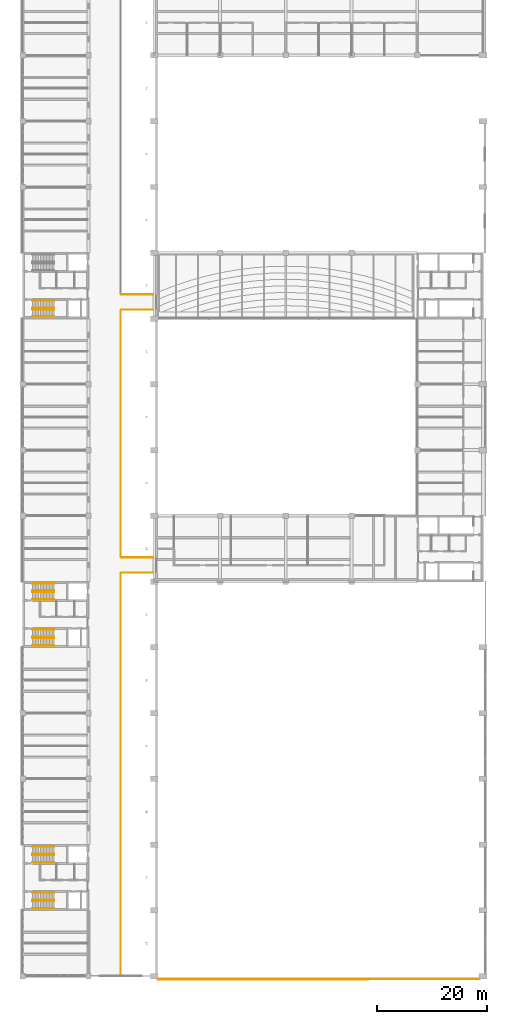
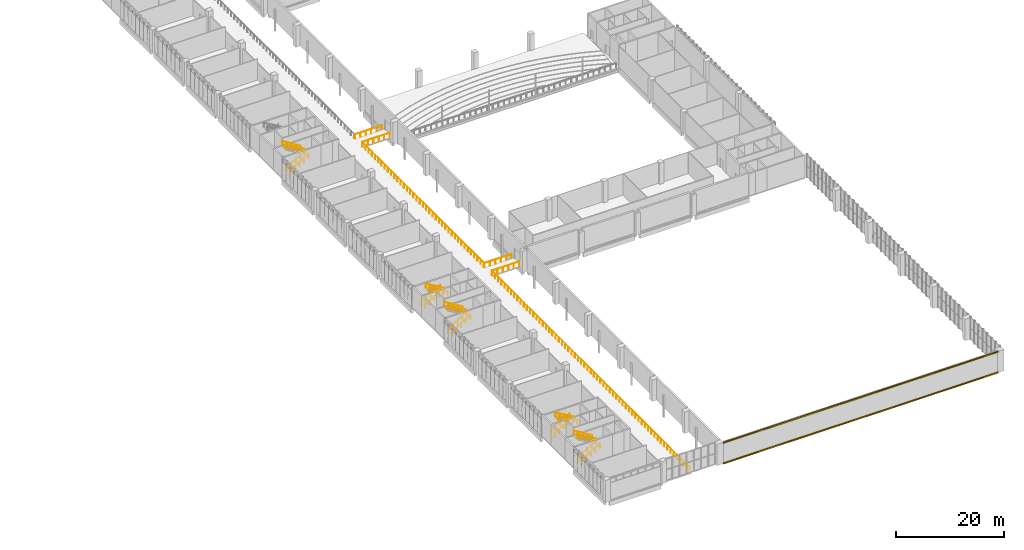
# One storey, part 67 of 69: 26 railings, 2 coverings.
"""IFC4 building model written with IfcOpenShell, lengths in metres."""

import ifcopenshell
import ifcopenshell.guid

model = None  # the IFC model being written
_history = None  # IfcOwnerHistory: only IFC2X3 demands one
_inside = {}  # id of a spatial element -> (the spatial element, [elements in it])
_under = {}  # id of a project, library or spatial element -> (it, [spatial elements below it])
_declared = {}  # id of a project -> (the project, [libraries it declares])
_typed = {}  # id of a type object -> (the type object, [elements of that type])
_made_of = {}  # id of a material, layer set ... -> (it, [elements and type objects made of it])


def new_model(schema):
    """Start an empty IFC model of exactly this schema.

    Asked for "IFC4X3", IfcOpenShell would pick the latest addendum, in which some entities
    have other attributes; the version numbers below select the first issue.
    IFC2X3 requires an IfcOwnerHistory on every rooted entity: one is made here for all.
    """
    global model, _history
    if schema == "IFC4X3":
        model = ifcopenshell.file(schema_version=(4, 3, 0, 0))
    else:
        model = ifcopenshell.file(schema=schema)
    _inside.clear()
    _under.clear()
    _declared.clear()
    _typed.clear()
    _made_of.clear()
    _history = None
    if model.schema == "IFC2X3":
        org = make("IfcOrganization", Name="unknown")
        user = make(
            "IfcPersonAndOrganization",
            ThePerson=make("IfcPerson", FamilyName="unknown"),
            TheOrganization=org,
        )
        app = make(
            "IfcApplication",
            ApplicationDeveloper=org,
            Version="unknown",
            ApplicationFullName="unknown",
            ApplicationIdentifier="unknown",
        )
        _history = make(
            "IfcOwnerHistory",
            OwningUser=user,
            OwningApplication=app,
            ChangeAction="ADDED",
            CreationDate=0,
        )
    return model


def make(cls, **values):
    """One entity of the class cls with the attributes given. An attribute that is None is left unset."""
    return model.create_entity(
        cls, **{name: value for name, value in values.items() if value is not None}
    )


def rooted(cls, **values):
    """An entity with a GlobalId (a new one), such as an element, a storey or a relation."""
    return make(cls, GlobalId=ifcopenshell.guid.new(), OwnerHistory=_history, **values)


def si_unit(unit_type, name, prefix=None):
    """IfcSIUnit, for example si_unit("LENGTHUNIT", "METRE", prefix="MILLI")."""
    return make("IfcSIUnit", UnitType=unit_type, Prefix=prefix, Name=name)


def assignment(units):
    """IfcUnitAssignment: the units of a project."""
    return None if units is None else make("IfcUnitAssignment", Units=units)


def point(xyz):
    """IfcCartesianPoint."""
    return None if xyz is None else make("IfcCartesianPoint", Coordinates=xyz)


def direction(xyz):
    """IfcDirection."""
    return None if xyz is None else make("IfcDirection", DirectionRatios=xyz)


def frame(location, z_axis=None, x_axis=None):
    """IfcAxis2Placement3D, a coordinate frame: its origin and axes. An axis left out is left unset."""
    return make(
        "IfcAxis2Placement3D",
        Location=point(location),
        Axis=direction(z_axis),
        RefDirection=direction(x_axis),
    )


def frame_2d(location, x_axis=None):
    """IfcAxis2Placement2D, a coordinate frame in the plane: its origin and x axis."""
    return make(
        "IfcAxis2Placement2D", Location=point(location), RefDirection=direction(x_axis)
    )


def origin():
    """The frame at (0, 0, 0) with its axes left unset."""
    return frame((0.0, 0.0, 0.0))


def origin_2d():
    """The frame at (0, 0) in the plane with its x axis left unset."""
    return frame_2d((0.0, 0.0))


def place(relative_to, where):
    """IfcLocalPlacement: puts the frame where relative to a parent placement (None: the world)."""
    return make(
        "IfcLocalPlacement", PlacementRelTo=relative_to, RelativePlacement=where
    )


def context(
    kind, dimensions, precision=None, world=None, true_north=None, identifier=None
):
    """IfcGeometricRepresentationContext, for example the 3D "Model" context."""
    return make(
        "IfcGeometricRepresentationContext",
        ContextIdentifier=identifier,
        ContextType=kind,
        CoordinateSpaceDimension=dimensions,
        Precision=precision,
        WorldCoordinateSystem=world,
        TrueNorth=true_north,
    )


def subcontext(parent, identifier, kind, view, scale=None):
    """IfcGeometricRepresentationSubContext, for example "Body" below "Model"."""
    return make(
        "IfcGeometricRepresentationSubContext",
        ContextIdentifier=identifier,
        ContextType=kind,
        ParentContext=parent,
        TargetScale=scale,
        TargetView=view,
    )


def project(units=None, contexts=None):
    """IfcProject with its units and contexts."""
    return rooted(
        "IfcProject",
        Name="project",
        RepresentationContexts=contexts,
        UnitsInContext=assignment(units),
    )


def spatial(cls, under=None, at=None, **own):
    """A site, building, storey or space (cls), placed at a placement, below another one or the project."""
    s = rooted(cls, ObjectPlacement=at, **own)
    if under is not None:
        _under.setdefault(under.id(), (under, []))[1].append(s)
    return s


def profile(cls, at=None, kind="AREA", **sizes):
    """A parametric profile (cls). Its sizes go by their IFC names, for example OverallWidth=200.0."""
    return make(cls, ProfileType=kind, Position=at, **sizes)


def rectangle(**sizes):
    """IfcRectangleProfileDef."""
    return profile("IfcRectangleProfileDef", **sizes)


def circle(**sizes):
    """IfcCircleProfileDef."""
    return profile("IfcCircleProfileDef", **sizes)


def extrude(swept, where, along, depth):
    """IfcExtrudedAreaSolid: the profile swept, set in the frame where, extruded along a direction by depth."""
    return make(
        "IfcExtrudedAreaSolid",
        SweptArea=swept,
        Position=where,
        ExtrudedDirection=direction(along),
        Depth=depth,
    )


def shape(context_of_items, identifier, shape_type, items):
    """IfcShapeRepresentation: the items that make up one representation, for example the "Body"."""
    return make(
        "IfcShapeRepresentation",
        ContextOfItems=context_of_items,
        RepresentationIdentifier=identifier,
        RepresentationType=shape_type,
        Items=items,
    )


def material(Name=None, Category=None):
    """IfcMaterial."""
    return make("IfcMaterial", Name=Name, Category=Category)


def layer(
    of_material, thickness, ventilated=None, Name=None, Category=None, Priority=None
):
    """IfcMaterialLayer: one layer of a wall or slab, of a material (None: an air gap)."""
    return make(
        "IfcMaterialLayer",
        Material=of_material,
        LayerThickness=thickness,
        IsVentilated=ventilated,
        Name=Name,
        Category=Category,
        Priority=Priority,
    )


def layer_set(layers, Name=None):
    """IfcMaterialLayerSet."""
    return make("IfcMaterialLayerSet", MaterialLayers=layers, LayerSetName=Name)


def constituent(of_material, Name=None, Category=None, fraction=None):
    """IfcMaterialConstituent: one of the materials an element consists of."""
    return make(
        "IfcMaterialConstituent",
        Name=Name,
        Material=of_material,
        Fraction=fraction,
        Category=Category,
    )


def constituent_set(constituents=None, Name=None):
    """IfcMaterialConstituentSet."""
    return make(
        "IfcMaterialConstituentSet", Name=Name, MaterialConstituents=constituents
    )


def made_of(thing, what):
    """Note that an element or type object is made of a material, layer set ...; save() writes the relation."""
    if what is not None:
        _made_of.setdefault(what.id(), (what, []))[1].append(thing)
    return thing


def type_object(cls, material=None, **own):
    """A type object (cls), such as IfcWallType, which elements share."""
    return made_of(rooted(cls, **own), material)


def element(
    cls,
    number,
    at=None,
    inside=None,
    cuts=None,
    type_object=None,
    material=None,
    context=None,
    identifier="Body",
    shape_type=None,
    held_by="IfcProductDefinitionShape",
    body=None,
    shapes=None,
    **own,
):
    """One element of the class cls, such as IfcWall. Its Tag is "e" and its number.

    at: its placement. inside: the storey or other place that contains it. cuts: it is an
    opening in that element (IfcRelVoidsElement). A single representation is given by context,
    identifier, shape_type and body (its items); several are given by shapes. held_by: the class
    of the entity that holds the representations. save() writes the other relations.
    """
    e = rooted(cls, Tag="e%d" % number, ObjectPlacement=at, **own)
    if body is not None:
        shapes = [shape(context, identifier, shape_type, body)]
    if shapes is not None:
        e.Representation = make(held_by, Representations=shapes)
    if inside is not None:
        _inside.setdefault(inside.id(), (inside, []))[1].append(e)
    if cuts is not None:
        rooted(
            "IfcRelVoidsElement", RelatingBuildingElement=cuts, RelatedOpeningElement=e
        )
    if type_object is not None:
        _typed.setdefault(type_object.id(), (type_object, []))[1].append(e)
    return made_of(e, material)


def aggregate(whole, parts):
    """IfcRelAggregates: a whole, such as a stair, and the parts it consists of."""
    return rooted("IfcRelAggregates", RelatingObject=whole, RelatedObjects=parts)


def save(model, path):
    """Write the relations noted so far, then the file.

    IfcRelAggregates (storeys below a building ...), IfcRelContainedInSpatialStructure (elements
    in a storey), IfcRelDefinesByType, IfcRelAssociatesMaterial and IfcRelDeclares: one each for
    every whole, place, type object, material and project.
    """
    for whole, parts in _under.values():
        aggregate(whole, parts)
    for where, things in _inside.values():
        rooted(
            "IfcRelContainedInSpatialStructure",
            RelatedElements=things,
            RelatingStructure=where,
        )
    for kind, things in _typed.values():
        rooted("IfcRelDefinesByType", RelatedObjects=things, RelatingType=kind)
    for what, things in _made_of.values():
        rooted("IfcRelAssociatesMaterial", RelatedObjects=things, RelatingMaterial=what)
    for by, libraries in _declared.values():
        rooted("IfcRelDeclares", RelatingContext=by, RelatedDefinitions=libraries)
    model.write(path)


model = new_model("IFC4")

# Units and contexts
model_context = context("Model", 3, precision=1e-05, world=origin(), true_north=direction((0.0, 1.0)))
body_context = subcontext(model_context, "Body", "Model", "MODEL_VIEW")
ifc_project = project(units=[si_unit("LENGTHUNIT", "METRE"), si_unit("AREAUNIT", "SQUARE_METRE"), si_unit("VOLUMEUNIT", "CUBIC_METRE"), si_unit("PLANEANGLEUNIT", "RADIAN"), si_unit("MASSUNIT", "GRAM", prefix="KILO")], contexts=[model_context])

# Site, building, storey
site_placement = place(None, origin())
site = spatial("IfcSite", under=ifc_project, at=site_placement, CompositionType="ELEMENT")
building_placement = place(site_placement, origin())
building = spatial("IfcBuilding", under=site, at=building_placement, Name="Lilac Gate Convention Centre", CompositionType="ELEMENT")
storey_placement = place(building_placement, frame((0.0, 0.0, 12.0)))
storey = spatial("IfcBuildingStorey", under=building, at=storey_placement, Name="L02", CompositionType="ELEMENT", Elevation=12.0)

# Coverings
ifc_material_1 = material(Name="Concrete C40 precast", Category="concrete")
ifc_layer_1 = layer(ifc_material_1, 0.1298828125)
ifc_material_2 = material(Name="Teal glazed cladding")
ifc_layer_2 = layer(ifc_material_2, 0.02001953125)
ifc_layer_set_1 = layer_set([ifc_layer_1, ifc_layer_2], Name="Concrete C40 precast, Teal glazed cladding")
covering_type_1 = type_object("IfcCoveringType", Name="Cladding band teal 150", PredefinedType="CLADDING", material=ifc_layer_set_1)
covering_1_placement = place(storey_placement, frame((30.60009765625, 29.375, 4.699951171875), z_axis=(0.0, 0.0, 1.0), x_axis=(1.0, 0.0, 0.0)))
element("IfcCovering", 1, at=covering_1_placement, inside=storey, type_object=covering_type_1, Name="Precast band hall south 3", PredefinedType="CLADDING", context=body_context, shape_type="SweptSolid", body=[
    extrude(rectangle(XDim=58.7998046875, YDim=0.14990234375, at=frame_2d((29.39990234375, 0.0))), origin(), (0.0, 0.0, 1.0), 0.300048828125),
])
ifc_layer_3 = layer(ifc_material_1, 0.1298828125)
ifc_material_3 = material(Name="Terracotta glazed cladding", Category="masonry")
ifc_layer_4 = layer(ifc_material_3, 0.02001953125)
ifc_layer_set_2 = layer_set([ifc_layer_3, ifc_layer_4], Name="Concrete C40 precast, Terracotta glazed cladding")
covering_type_2 = type_object("IfcCoveringType", Name="Cladding band terracotta 150", PredefinedType="CLADDING", material=ifc_layer_set_2)
covering_2_placement = place(storey_placement, frame((30.60009765625, 29.375, 0.0), z_axis=(0.0, 0.0, 1.0), x_axis=(1.0, 0.0, 0.0)))
element("IfcCovering", 2, at=covering_2_placement, inside=storey, type_object=covering_type_2, Name="Precast band hall south 2", PredefinedType="CLADDING", context=body_context, shape_type="SweptSolid", body=[
    extrude(rectangle(XDim=58.7998046875, YDim=0.14990234375, at=frame_2d((29.39990234375, 0.0))), origin(), (0.0, 0.0, 1.0), 0.300048828125),
])

# Railings
ifc_material_4 = material(Name="Steel Q235B", Category="steel")
ifc_constituent_1 = constituent(ifc_material_4, Name="Frame")
ifc_material_5 = material(Name="Safety glass, bonded interlayer", Category="glass")
ifc_constituent_2 = constituent(ifc_material_5, Name="Infill")
ifc_constituent_set = constituent_set(constituents=[ifc_constituent_1, ifc_constituent_2], Name="Steel Q235B, Safety glass, bonded interlayer")
railing_type_1 = type_object("IfcRailingType", Name="Guard 1100 steel and glass", PredefinedType="GUARDRAIL", material=ifc_constituent_set)
railing_1_placement = place(storey_placement, frame((23.89990234375, 30.199951171875, 0.0)))
element("IfcRailing", 3, at=railing_1_placement, inside=storey, type_object=railing_type_1, Name="Gallery guard L02", PredefinedType="GUARDRAIL", context=body_context, shape_type="SweptSolid", body=[
    extrude(circle(Radius=0.02392578125, at=origin_2d()), frame((0.0, 0.0, 1.076171875), z_axis=(0.0, 1.0, 0.0), x_axis=(-1.0, 0.0, 0.0)), (0.0, 0.0, 1.0), 73.300048828125),
    extrude(circle(Radius=0.02099609375, at=origin_2d()), origin(), (0.0, 0.0, 1.0), 1.052001953125),
    extrude(circle(Radius=0.02099609375, at=origin_2d()), frame((0.0, 1.182373046875, 0.0)), (0.0, 0.0, 1.0), 1.052001953125),
    extrude(circle(Radius=0.02099609375, at=origin_2d()), frame((0.0, 2.364501953125, 0.0)), (0.0, 0.0, 1.0), 1.052001953125),
    extrude(circle(Radius=0.02099609375, at=origin_2d()), frame((0.0, 3.546875, 0.0)), (0.0, 0.0, 1.0), 1.052001953125),
    extrude(circle(Radius=0.02099609375, at=origin_2d()), frame((0.0, 4.72900390625, 0.0)), (0.0, 0.0, 1.0), 1.052001953125),
    extrude(circle(Radius=0.02099609375, at=origin_2d()), frame((0.0, 5.911376953125, 0.0)), (0.0, 0.0, 1.0), 1.052001953125),
    extrude(circle(Radius=0.02099609375, at=origin_2d()), frame((0.0, 7.093505859375, 0.0)), (0.0, 0.0, 1.0), 1.052001953125),
    extrude(circle(Radius=0.02099609375, at=origin_2d()), frame((0.0, 8.27587890625, 0.0)), (0.0, 0.0, 1.0), 1.052001953125),
    extrude(circle(Radius=0.02099609375, at=origin_2d()), frame((0.0, 9.4580078125, 0.0)), (0.0, 0.0, 1.0), 1.052001953125),
    extrude(circle(Radius=0.02099609375, at=origin_2d()), frame((0.0, 10.640380859375, 0.0)), (0.0, 0.0, 1.0), 1.052001953125),
    extrude(circle(Radius=0.02099609375, at=origin_2d()), frame((0.0, 11.822509765625, 0.0)), (0.0, 0.0, 1.0), 1.052001953125),
    extrude(circle(Radius=0.02099609375, at=origin_2d()), frame((0.0, 13.0048828125, 0.0)), (0.0, 0.0, 1.0), 1.052001953125),
    extrude(circle(Radius=0.02099609375, at=origin_2d()), frame((0.0, 14.18701171875, 0.0)), (0.0, 0.0, 1.0), 1.052001953125),
    extrude(circle(Radius=0.02099609375, at=origin_2d()), frame((0.0, 15.369384765625, 0.0)), (0.0, 0.0, 1.0), 1.052001953125),
    extrude(circle(Radius=0.02099609375, at=origin_2d()), frame((0.0, 16.551513671875, 0.0)), (0.0, 0.0, 1.0), 1.052001953125),
    extrude(circle(Radius=0.02099609375, at=origin_2d()), frame((0.0, 17.73388671875, 0.0)), (0.0, 0.0, 1.0), 1.052001953125),
    extrude(circle(Radius=0.02099609375, at=origin_2d()), frame((0.0, 18.916259765625, 0.0)), (0.0, 0.0, 1.0), 1.052001953125),
    extrude(circle(Radius=0.02099609375, at=origin_2d()), frame((0.0, 20.098388671875, 0.0)), (0.0, 0.0, 1.0), 1.052001953125),
    extrude(circle(Radius=0.02099609375, at=origin_2d()), frame((0.0, 21.28076171875, 0.0)), (0.0, 0.0, 1.0), 1.052001953125),
    extrude(circle(Radius=0.02099609375, at=origin_2d()), frame((0.0, 22.462890625, 0.0)), (0.0, 0.0, 1.0), 1.052001953125),
    extrude(circle(Radius=0.02099609375, at=origin_2d()), frame((0.0, 23.645263671875, 0.0)), (0.0, 0.0, 1.0), 1.052001953125),
    extrude(circle(Radius=0.02099609375, at=origin_2d()), frame((0.0, 24.827392578125, 0.0)), (0.0, 0.0, 1.0), 1.052001953125),
    extrude(circle(Radius=0.02099609375, at=origin_2d()), frame((0.0, 26.009765625, 0.0)), (0.0, 0.0, 1.0), 1.052001953125),
    extrude(circle(Radius=0.02099609375, at=origin_2d()), frame((0.0, 27.19189453125, 0.0)), (0.0, 0.0, 1.0), 1.052001953125),
    extrude(circle(Radius=0.02099609375, at=origin_2d()), frame((0.0, 28.374267578125, 0.0)), (0.0, 0.0, 1.0), 1.052001953125),
    extrude(circle(Radius=0.02099609375, at=origin_2d()), frame((0.0, 29.556396484375, 0.0)), (0.0, 0.0, 1.0), 1.052001953125),
    extrude(circle(Radius=0.02099609375, at=origin_2d()), frame((0.0, 30.73876953125, 0.0)), (0.0, 0.0, 1.0), 1.052001953125),
    extrude(circle(Radius=0.02099609375, at=origin_2d()), frame((0.0, 31.9208984375, 0.0)), (0.0, 0.0, 1.0), 1.052001953125),
    extrude(circle(Radius=0.02099609375, at=origin_2d()), frame((0.0, 33.103271484375, 0.0)), (0.0, 0.0, 1.0), 1.052001953125),
    extrude(circle(Radius=0.02099609375, at=origin_2d()), frame((0.0, 34.285400390625, 0.0)), (0.0, 0.0, 1.0), 1.052001953125),
    extrude(circle(Radius=0.02099609375, at=origin_2d()), frame((0.0, 35.4677734375, 0.0)), (0.0, 0.0, 1.0), 1.052001953125),
    extrude(circle(Radius=0.02099609375, at=origin_2d()), frame((0.0, 36.64990234375, 0.0)), (0.0, 0.0, 1.0), 1.052001953125),
    extrude(circle(Radius=0.02099609375, at=origin_2d()), frame((0.0, 37.832275390625, 0.0)), (0.0, 0.0, 1.0), 1.052001953125),
    extrude(circle(Radius=0.02099609375, at=origin_2d()), frame((0.0, 39.0146484375, 0.0)), (0.0, 0.0, 1.0), 1.052001953125),
    extrude(circle(Radius=0.02099609375, at=origin_2d()), frame((0.0, 40.19677734375, 0.0)), (0.0, 0.0, 1.0), 1.052001953125),
    extrude(circle(Radius=0.02099609375, at=origin_2d()), frame((0.0, 41.379150390625, 0.0)), (0.0, 0.0, 1.0), 1.052001953125),
    extrude(circle(Radius=0.02099609375, at=origin_2d()), frame((0.0, 42.561279296875, 0.0)), (0.0, 0.0, 1.0), 1.052001953125),
    extrude(circle(Radius=0.02099609375, at=origin_2d()), frame((0.0, 43.74365234375, 0.0)), (0.0, 0.0, 1.0), 1.052001953125),
    extrude(circle(Radius=0.02099609375, at=origin_2d()), frame((0.0, 44.92578125, 0.0)), (0.0, 0.0, 1.0), 1.052001953125),
    extrude(circle(Radius=0.02099609375, at=origin_2d()), frame((0.0, 46.108154296875, 0.0)), (0.0, 0.0, 1.0), 1.052001953125),
    extrude(circle(Radius=0.02099609375, at=origin_2d()), frame((0.0, 47.290283203125, 0.0)), (0.0, 0.0, 1.0), 1.052001953125),
    extrude(circle(Radius=0.02099609375, at=origin_2d()), frame((0.0, 48.47265625, 0.0)), (0.0, 0.0, 1.0), 1.052001953125),
    extrude(circle(Radius=0.02099609375, at=origin_2d()), frame((0.0, 49.65478515625, 0.0)), (0.0, 0.0, 1.0), 1.052001953125),
    extrude(circle(Radius=0.02099609375, at=origin_2d()), frame((0.0, 50.837158203125, 0.0)), (0.0, 0.0, 1.0), 1.052001953125),
    extrude(circle(Radius=0.02099609375, at=origin_2d()), frame((0.0, 52.019287109375, 0.0)), (0.0, 0.0, 1.0), 1.052001953125),
    extrude(circle(Radius=0.02099609375, at=origin_2d()), frame((0.0, 53.20166015625, 0.0)), (0.0, 0.0, 1.0), 1.052001953125),
    extrude(circle(Radius=0.02099609375, at=origin_2d()), frame((0.0, 54.3837890625, 0.0)), (0.0, 0.0, 1.0), 1.052001953125),
    extrude(circle(Radius=0.02099609375, at=origin_2d()), frame((0.0, 55.566162109375, 0.0)), (0.0, 0.0, 1.0), 1.052001953125),
    extrude(circle(Radius=0.02099609375, at=origin_2d()), frame((0.0, 56.74853515625, 0.0)), (0.0, 0.0, 1.0), 1.052001953125),
    extrude(circle(Radius=0.02099609375, at=origin_2d()), frame((0.0, 57.9306640625, 0.0)), (0.0, 0.0, 1.0), 1.052001953125),
    extrude(circle(Radius=0.02099609375, at=origin_2d()), frame((0.0, 59.113037109375, 0.0)), (0.0, 0.0, 1.0), 1.052001953125),
    extrude(circle(Radius=0.02099609375, at=origin_2d()), frame((0.0, 60.295166015625, 0.0)), (0.0, 0.0, 1.0), 1.052001953125),
    extrude(circle(Radius=0.02099609375, at=origin_2d()), frame((0.0, 61.4775390625, 0.0)), (0.0, 0.0, 1.0), 1.052001953125),
    extrude(circle(Radius=0.02099609375, at=origin_2d()), frame((0.0, 62.65966796875, 0.0)), (0.0, 0.0, 1.0), 1.052001953125),
    extrude(circle(Radius=0.02099609375, at=origin_2d()), frame((0.0, 63.842041015625, 0.0)), (0.0, 0.0, 1.0), 1.052001953125),
    extrude(circle(Radius=0.02099609375, at=origin_2d()), frame((0.0, 65.024169921875, 0.0)), (0.0, 0.0, 1.0), 1.052001953125),
    extrude(circle(Radius=0.02099609375, at=origin_2d()), frame((0.0, 66.20654296875, 0.0)), (0.0, 0.0, 1.0), 1.052001953125),
    extrude(circle(Radius=0.02099609375, at=origin_2d()), frame((0.0, 67.388671875, 0.0)), (0.0, 0.0, 1.0), 1.052001953125),
    extrude(circle(Radius=0.02099609375, at=origin_2d()), frame((0.0, 68.571044921875, 0.0)), (0.0, 0.0, 1.0), 1.052001953125),
    extrude(circle(Radius=0.02099609375, at=origin_2d()), frame((0.0, 69.753173828125, 0.0)), (0.0, 0.0, 1.0), 1.052001953125),
    extrude(circle(Radius=0.02099609375, at=origin_2d()), frame((0.0, 70.935546875, 0.0)), (0.0, 0.0, 1.0), 1.052001953125),
    extrude(circle(Radius=0.02099609375, at=origin_2d()), frame((0.0, 72.11767578125, 0.0)), (0.0, 0.0, 1.0), 1.052001953125),
    extrude(circle(Radius=0.02099609375, at=origin_2d()), frame((0.0, 73.300048828125, 0.0)), (0.0, 0.0, 1.0), 1.052001953125),
])
railing_2_placement = place(storey_placement, frame((23.89990234375, 106.5, 0.0)))
element("IfcRailing", 4, at=railing_2_placement, inside=storey, type_object=railing_type_1, Name="Gallery guard L02", PredefinedType="GUARDRAIL", context=body_context, shape_type="SweptSolid", body=[
    extrude(circle(Radius=0.02392578125, at=origin_2d()), frame((0.0, 0.0, 1.076171875), z_axis=(0.0, 1.0, 0.0), x_axis=(-1.0, 0.0, 0.0)), (0.0, 0.0, 1.0), 45.0),
    extrude(circle(Radius=0.02099609375, at=origin_2d()), origin(), (0.0, 0.0, 1.0), 1.052001953125),
    extrude(circle(Radius=0.02099609375, at=origin_2d()), frame((0.0, 1.184326171875, 0.0)), (0.0, 0.0, 1.0), 1.052001953125),
    extrude(circle(Radius=0.02099609375, at=origin_2d()), frame((0.0, 2.368408203125, 0.0)), (0.0, 0.0, 1.0), 1.052001953125),
    extrude(circle(Radius=0.02099609375, at=origin_2d()), frame((0.0, 3.552734375, 0.0)), (0.0, 0.0, 1.0), 1.052001953125),
    extrude(circle(Radius=0.02099609375, at=origin_2d()), frame((0.0, 4.73681640625, 0.0)), (0.0, 0.0, 1.0), 1.052001953125),
    extrude(circle(Radius=0.02099609375, at=origin_2d()), frame((0.0, 5.921142578125, 0.0)), (0.0, 0.0, 1.0), 1.052001953125),
    extrude(circle(Radius=0.02099609375, at=origin_2d()), frame((0.0, 7.105224609375, 0.0)), (0.0, 0.0, 1.0), 1.052001953125),
    extrude(circle(Radius=0.02099609375, at=origin_2d()), frame((0.0, 8.28955078125, 0.0)), (0.0, 0.0, 1.0), 1.052001953125),
    extrude(circle(Radius=0.02099609375, at=origin_2d()), frame((0.0, 9.4736328125, 0.0)), (0.0, 0.0, 1.0), 1.052001953125),
    extrude(circle(Radius=0.02099609375, at=origin_2d()), frame((0.0, 10.657958984375, 0.0)), (0.0, 0.0, 1.0), 1.052001953125),
    extrude(circle(Radius=0.02099609375, at=origin_2d()), frame((0.0, 11.842041015625, 0.0)), (0.0, 0.0, 1.0), 1.052001953125),
    extrude(circle(Radius=0.02099609375, at=origin_2d()), frame((0.0, 13.0263671875, 0.0)), (0.0, 0.0, 1.0), 1.052001953125),
    extrude(circle(Radius=0.02099609375, at=origin_2d()), frame((0.0, 14.21044921875, 0.0)), (0.0, 0.0, 1.0), 1.052001953125),
    extrude(circle(Radius=0.02099609375, at=origin_2d()), frame((0.0, 15.394775390625, 0.0)), (0.0, 0.0, 1.0), 1.052001953125),
    extrude(circle(Radius=0.02099609375, at=origin_2d()), frame((0.0, 16.578857421875, 0.0)), (0.0, 0.0, 1.0), 1.052001953125),
    extrude(circle(Radius=0.02099609375, at=origin_2d()), frame((0.0, 17.76318359375, 0.0)), (0.0, 0.0, 1.0), 1.052001953125),
    extrude(circle(Radius=0.02099609375, at=origin_2d()), frame((0.0, 18.947265625, 0.0)), (0.0, 0.0, 1.0), 1.052001953125),
    extrude(circle(Radius=0.02099609375, at=origin_2d()), frame((0.0, 20.131591796875, 0.0)), (0.0, 0.0, 1.0), 1.052001953125),
    extrude(circle(Radius=0.02099609375, at=origin_2d()), frame((0.0, 21.315673828125, 0.0)), (0.0, 0.0, 1.0), 1.052001953125),
    extrude(circle(Radius=0.02099609375, at=origin_2d()), frame((0.0, 22.5, 0.0)), (0.0, 0.0, 1.0), 1.052001953125),
    extrude(circle(Radius=0.02099609375, at=origin_2d()), frame((0.0, 23.684326171875, 0.0)), (0.0, 0.0, 1.0), 1.052001953125),
    extrude(circle(Radius=0.02099609375, at=origin_2d()), frame((0.0, 24.868408203125, 0.0)), (0.0, 0.0, 1.0), 1.052001953125),
    extrude(circle(Radius=0.02099609375, at=origin_2d()), frame((0.0, 26.052734375, 0.0)), (0.0, 0.0, 1.0), 1.052001953125),
    extrude(circle(Radius=0.02099609375, at=origin_2d()), frame((0.0, 27.23681640625, 0.0)), (0.0, 0.0, 1.0), 1.052001953125),
    extrude(circle(Radius=0.02099609375, at=origin_2d()), frame((0.0, 28.421142578125, 0.0)), (0.0, 0.0, 1.0), 1.052001953125),
    extrude(circle(Radius=0.02099609375, at=origin_2d()), frame((0.0, 29.605224609375, 0.0)), (0.0, 0.0, 1.0), 1.052001953125),
    extrude(circle(Radius=0.02099609375, at=origin_2d()), frame((0.0, 30.78955078125, 0.0)), (0.0, 0.0, 1.0), 1.052001953125),
    extrude(circle(Radius=0.02099609375, at=origin_2d()), frame((0.0, 31.9736328125, 0.0)), (0.0, 0.0, 1.0), 1.052001953125),
    extrude(circle(Radius=0.02099609375, at=origin_2d()), frame((0.0, 33.157958984375, 0.0)), (0.0, 0.0, 1.0), 1.052001953125),
    extrude(circle(Radius=0.02099609375, at=origin_2d()), frame((0.0, 34.342041015625, 0.0)), (0.0, 0.0, 1.0), 1.052001953125),
    extrude(circle(Radius=0.02099609375, at=origin_2d()), frame((0.0, 35.5263671875, 0.0)), (0.0, 0.0, 1.0), 1.052001953125),
    extrude(circle(Radius=0.02099609375, at=origin_2d()), frame((0.0, 36.71044921875, 0.0)), (0.0, 0.0, 1.0), 1.052001953125),
    extrude(circle(Radius=0.02099609375, at=origin_2d()), frame((0.0, 37.894775390625, 0.0)), (0.0, 0.0, 1.0), 1.052001953125),
    extrude(circle(Radius=0.02099609375, at=origin_2d()), frame((0.0, 39.078857421875, 0.0)), (0.0, 0.0, 1.0), 1.052001953125),
    extrude(circle(Radius=0.02099609375, at=origin_2d()), frame((0.0, 40.26318359375, 0.0)), (0.0, 0.0, 1.0), 1.052001953125),
    extrude(circle(Radius=0.02099609375, at=origin_2d()), frame((0.0, 41.447265625, 0.0)), (0.0, 0.0, 1.0), 1.052001953125),
    extrude(circle(Radius=0.02099609375, at=origin_2d()), frame((0.0, 42.631591796875, 0.0)), (0.0, 0.0, 1.0), 1.052001953125),
    extrude(circle(Radius=0.02099609375, at=origin_2d()), frame((0.0, 43.815673828125, 0.0)), (0.0, 0.0, 1.0), 1.052001953125),
    extrude(circle(Radius=0.02099609375, at=origin_2d()), frame((0.0, 45.0, 0.0)), (0.0, 0.0, 1.0), 1.052001953125),
])
for number, where, name in (
    (5, (24.0, 103.60009765625, 0.0), "Bridge guard L02"),
    (6, (24.0, 106.39990234375, 0.0), "Bridge guard L02"),
    (7, (24.0, 151.60009765625, 0.0), "Bridge guard L02"),
    (8, (24.0, 154.39990234375, 0.0), "Bridge guard L02"),
):
    element("IfcRailing", number, at=place(storey_placement, frame(where)), inside=storey, type_object=railing_type_1, Name=name, PredefinedType="GUARDRAIL", context=body_context, shape_type="SweptSolid", body=[
        extrude(circle(Radius=0.02392578125, at=origin_2d()), frame((0.0, 0.0, 1.076171875), z_axis=(1.0, 0.0, 0.0), x_axis=(0.0, 1.0, 0.0)), (0.0, 0.0, 1.0), 5.800048828125),
        extrude(circle(Radius=0.02099609375, at=origin_2d()), origin(), (0.0, 0.0, 1.0), 1.052001953125),
        extrude(circle(Radius=0.02099609375, at=origin_2d()), frame((1.159912109375, 0.0, 0.0)), (0.0, 0.0, 1.0), 1.052001953125),
        extrude(circle(Radius=0.02099609375, at=origin_2d()), frame((2.320068359375, 0.0, 0.0)), (0.0, 0.0, 1.0), 1.052001953125),
        extrude(circle(Radius=0.02099609375, at=origin_2d()), frame((3.47998046875, 0.0, 0.0)), (0.0, 0.0, 1.0), 1.052001953125),
        extrude(circle(Radius=0.02099609375, at=origin_2d()), frame((4.64013671875, 0.0, 0.0)), (0.0, 0.0, 1.0), 1.052001953125),
        extrude(circle(Radius=0.02099609375, at=origin_2d()), frame((5.800048828125, 0.0, 0.0)), (0.0, 0.0, 1.0), 1.052001953125),
    ])
ifc_material_6 = material(Name="Stainless steel 304", Category="steel")
railing_type_2 = type_object("IfcRailingType", Name="Stair handrail 900", PredefinedType="HANDRAIL", material=ifc_material_6)
for number, where, name in (
    (9, (7.800048828125, 42.35009765625, 0.166748046875), "Stair handrail W1A"),
    (10, (7.800048828125, 43.64990234375, 0.166748046875), "Stair handrail W1A"),
):
    element("IfcRailing", number, at=place(storey_placement, frame(where)), inside=storey, type_object=railing_type_2, Name=name, PredefinedType="HANDRAIL", context=body_context, shape_type="SweptSolid", body=[
        extrude(circle(Radius=0.02392578125, at=origin_2d()), frame((0.0, 0.0, 0.8759765625), z_axis=(0.859296244711, 0.0, 0.511478214419), x_axis=(0.0, 1.0, 0.0)), (0.0, 0.0, 1.0), 4.561767578125),
        extrude(circle(Radius=0.02099609375, at=origin_2d()), origin(), (0.0, 0.0, 1.0), 0.851806640625),
        extrude(circle(Radius=0.02099609375, at=origin_2d()), frame((0.97998046875, 0.0, 0.583251953125)), (0.0, 0.0, 1.0), 0.851806640625),
        extrude(circle(Radius=0.02099609375, at=origin_2d()), frame((1.9599609375, 0.0, 1.16650390625)), (0.0, 0.0, 1.0), 0.851806640625),
        extrude(circle(Radius=0.02099609375, at=origin_2d()), frame((2.93994140625, 0.0, 1.75)), (0.0, 0.0, 1.0), 0.851806640625),
        extrude(circle(Radius=0.02099609375, at=origin_2d()), frame((3.919921875, 0.0, 2.333251953125)), (0.0, 0.0, 1.0), 0.851806640625),
    ])
for number, where, name in (
    (11, (11.719970703125, 43.949951171875, 2.666748046875), "Stair handrail W1A"),
    (12, (11.719970703125, 45.25, 2.666748046875), "Stair handrail W1A"),
):
    element("IfcRailing", number, at=place(storey_placement, frame(where)), inside=storey, type_object=railing_type_2, Name=name, PredefinedType="HANDRAIL", context=body_context, shape_type="SweptSolid", body=[
        extrude(circle(Radius=0.02392578125, at=origin_2d()), frame((0.0, 0.0, 0.8759765625), z_axis=(-0.859296244711, 0.0, 0.511478214419), x_axis=(0.0, -1.0, 0.0)), (0.0, 0.0, 1.0), 4.561767578125),
        extrude(circle(Radius=0.02099609375, at=origin_2d()), origin(), (0.0, 0.0, 1.0), 0.851806640625),
        extrude(circle(Radius=0.02099609375, at=origin_2d()), frame((-0.97998046875, 0.0, 0.583251953125)), (0.0, 0.0, 1.0), 0.851806640625),
        extrude(circle(Radius=0.02099609375, at=origin_2d()), frame((-1.9599609375, 0.0, 1.16650390625)), (0.0, 0.0, 1.0), 0.851806640625),
        extrude(circle(Radius=0.02099609375, at=origin_2d()), frame((-2.93994140625, 0.0, 1.75)), (0.0, 0.0, 1.0), 0.851806640625),
        extrude(circle(Radius=0.02099609375, at=origin_2d()), frame((-3.919921875, 0.0, 2.333251953125)), (0.0, 0.0, 1.0), 0.851806640625),
    ])
for number, where, name in (
    (13, (7.800048828125, 52.35009765625, 0.166748046875), "Stair handrail W1B"),
    (14, (7.800048828125, 53.64990234375, 0.166748046875), "Stair handrail W1B"),
):
    element("IfcRailing", number, at=place(storey_placement, frame(where)), inside=storey, type_object=railing_type_2, Name=name, PredefinedType="HANDRAIL", context=body_context, shape_type="SweptSolid", body=[
        extrude(circle(Radius=0.02392578125, at=origin_2d()), frame((0.0, 0.0, 0.8759765625), z_axis=(0.859296244711, 0.0, 0.511478214419), x_axis=(0.0, 1.0, 0.0)), (0.0, 0.0, 1.0), 4.561767578125),
        extrude(circle(Radius=0.02099609375, at=origin_2d()), origin(), (0.0, 0.0, 1.0), 0.851806640625),
        extrude(circle(Radius=0.02099609375, at=origin_2d()), frame((0.97998046875, 0.0, 0.583251953125)), (0.0, 0.0, 1.0), 0.851806640625),
        extrude(circle(Radius=0.02099609375, at=origin_2d()), frame((1.9599609375, 0.0, 1.16650390625)), (0.0, 0.0, 1.0), 0.851806640625),
        extrude(circle(Radius=0.02099609375, at=origin_2d()), frame((2.93994140625, 0.0, 1.75)), (0.0, 0.0, 1.0), 0.851806640625),
        extrude(circle(Radius=0.02099609375, at=origin_2d()), frame((3.919921875, 0.0, 2.333251953125)), (0.0, 0.0, 1.0), 0.851806640625),
    ])
for number, where, name in (
    (15, (11.719970703125, 50.75, 2.666748046875), "Stair handrail W1B"),
    (16, (11.719970703125, 52.050048828125, 2.666748046875), "Stair handrail W1B"),
):
    element("IfcRailing", number, at=place(storey_placement, frame(where)), inside=storey, type_object=railing_type_2, Name=name, PredefinedType="HANDRAIL", context=body_context, shape_type="SweptSolid", body=[
        extrude(circle(Radius=0.02392578125, at=origin_2d()), frame((0.0, 0.0, 0.8759765625), z_axis=(-0.859296244711, 0.0, 0.511478214419), x_axis=(0.0, -1.0, 0.0)), (0.0, 0.0, 1.0), 4.561767578125),
        extrude(circle(Radius=0.02099609375, at=origin_2d()), origin(), (0.0, 0.0, 1.0), 0.851806640625),
        extrude(circle(Radius=0.02099609375, at=origin_2d()), frame((-0.97998046875, 0.0, 0.583251953125)), (0.0, 0.0, 1.0), 0.851806640625),
        extrude(circle(Radius=0.02099609375, at=origin_2d()), frame((-1.9599609375, 0.0, 1.16650390625)), (0.0, 0.0, 1.0), 0.851806640625),
        extrude(circle(Radius=0.02099609375, at=origin_2d()), frame((-2.93994140625, 0.0, 1.75)), (0.0, 0.0, 1.0), 0.851806640625),
        extrude(circle(Radius=0.02099609375, at=origin_2d()), frame((-3.919921875, 0.0, 2.333251953125)), (0.0, 0.0, 1.0), 0.851806640625),
    ])
for number, where, name in (
    (17, (7.800048828125, 90.35009765625, 0.166748046875), "Stair handrail W2A"),
    (18, (7.800048828125, 91.64990234375, 0.166748046875), "Stair handrail W2A"),
):
    element("IfcRailing", number, at=place(storey_placement, frame(where)), inside=storey, type_object=railing_type_2, Name=name, PredefinedType="HANDRAIL", context=body_context, shape_type="SweptSolid", body=[
        extrude(circle(Radius=0.02392578125, at=origin_2d()), frame((0.0, 0.0, 0.8759765625), z_axis=(0.859296244711, 0.0, 0.511478214419), x_axis=(0.0, 1.0, 0.0)), (0.0, 0.0, 1.0), 4.561767578125),
        extrude(circle(Radius=0.02099609375, at=origin_2d()), origin(), (0.0, 0.0, 1.0), 0.851806640625),
        extrude(circle(Radius=0.02099609375, at=origin_2d()), frame((0.97998046875, 0.0, 0.583251953125)), (0.0, 0.0, 1.0), 0.851806640625),
        extrude(circle(Radius=0.02099609375, at=origin_2d()), frame((1.9599609375, 0.0, 1.16650390625)), (0.0, 0.0, 1.0), 0.851806640625),
        extrude(circle(Radius=0.02099609375, at=origin_2d()), frame((2.93994140625, 0.0, 1.75)), (0.0, 0.0, 1.0), 0.851806640625),
        extrude(circle(Radius=0.02099609375, at=origin_2d()), frame((3.919921875, 0.0, 2.333251953125)), (0.0, 0.0, 1.0), 0.851806640625),
    ])
for number, where, name in (
    (19, (11.719970703125, 91.949951171875, 2.666748046875), "Stair handrail W2A"),
    (20, (11.719970703125, 93.25, 2.666748046875), "Stair handrail W2A"),
):
    element("IfcRailing", number, at=place(storey_placement, frame(where)), inside=storey, type_object=railing_type_2, Name=name, PredefinedType="HANDRAIL", context=body_context, shape_type="SweptSolid", body=[
        extrude(circle(Radius=0.02392578125, at=origin_2d()), frame((0.0, 0.0, 0.8759765625), z_axis=(-0.859296244711, 0.0, 0.511478214419), x_axis=(0.0, -1.0, 0.0)), (0.0, 0.0, 1.0), 4.561767578125),
        extrude(circle(Radius=0.02099609375, at=origin_2d()), origin(), (0.0, 0.0, 1.0), 0.851806640625),
        extrude(circle(Radius=0.02099609375, at=origin_2d()), frame((-0.97998046875, 0.0, 0.583251953125)), (0.0, 0.0, 1.0), 0.851806640625),
        extrude(circle(Radius=0.02099609375, at=origin_2d()), frame((-1.9599609375, 0.0, 1.16650390625)), (0.0, 0.0, 1.0), 0.851806640625),
        extrude(circle(Radius=0.02099609375, at=origin_2d()), frame((-2.93994140625, 0.0, 1.75)), (0.0, 0.0, 1.0), 0.851806640625),
        extrude(circle(Radius=0.02099609375, at=origin_2d()), frame((-3.919921875, 0.0, 2.333251953125)), (0.0, 0.0, 1.0), 0.851806640625),
    ])
for number, where, name in (
    (21, (7.800048828125, 100.35009765625, 0.166748046875), "Stair handrail W2B"),
    (22, (7.800048828125, 101.64990234375, 0.166748046875), "Stair handrail W2B"),
):
    element("IfcRailing", number, at=place(storey_placement, frame(where)), inside=storey, type_object=railing_type_2, Name=name, PredefinedType="HANDRAIL", context=body_context, shape_type="SweptSolid", body=[
        extrude(circle(Radius=0.02392578125, at=origin_2d()), frame((0.0, 0.0, 0.8759765625), z_axis=(0.859296244711, 0.0, 0.511478214419), x_axis=(0.0, 1.0, 0.0)), (0.0, 0.0, 1.0), 4.561767578125),
        extrude(circle(Radius=0.02099609375, at=origin_2d()), origin(), (0.0, 0.0, 1.0), 0.851806640625),
        extrude(circle(Radius=0.02099609375, at=origin_2d()), frame((0.97998046875, 0.0, 0.583251953125)), (0.0, 0.0, 1.0), 0.851806640625),
        extrude(circle(Radius=0.02099609375, at=origin_2d()), frame((1.9599609375, 0.0, 1.16650390625)), (0.0, 0.0, 1.0), 0.851806640625),
        extrude(circle(Radius=0.02099609375, at=origin_2d()), frame((2.93994140625, 0.0, 1.75)), (0.0, 0.0, 1.0), 0.851806640625),
        extrude(circle(Radius=0.02099609375, at=origin_2d()), frame((3.919921875, 0.0, 2.333251953125)), (0.0, 0.0, 1.0), 0.851806640625),
    ])
for number, where, name in (
    (23, (11.719970703125, 98.75, 2.666748046875), "Stair handrail W2B"),
    (24, (11.719970703125, 100.050048828125, 2.666748046875), "Stair handrail W2B"),
):
    element("IfcRailing", number, at=place(storey_placement, frame(where)), inside=storey, type_object=railing_type_2, Name=name, PredefinedType="HANDRAIL", context=body_context, shape_type="SweptSolid", body=[
        extrude(circle(Radius=0.02392578125, at=origin_2d()), frame((0.0, 0.0, 0.8759765625), z_axis=(-0.859296244711, 0.0, 0.511478214419), x_axis=(0.0, -1.0, 0.0)), (0.0, 0.0, 1.0), 4.561767578125),
        extrude(circle(Radius=0.02099609375, at=origin_2d()), origin(), (0.0, 0.0, 1.0), 0.851806640625),
        extrude(circle(Radius=0.02099609375, at=origin_2d()), frame((-0.97998046875, 0.0, 0.583251953125)), (0.0, 0.0, 1.0), 0.851806640625),
        extrude(circle(Radius=0.02099609375, at=origin_2d()), frame((-1.9599609375, 0.0, 1.16650390625)), (0.0, 0.0, 1.0), 0.851806640625),
        extrude(circle(Radius=0.02099609375, at=origin_2d()), frame((-2.93994140625, 0.0, 1.75)), (0.0, 0.0, 1.0), 0.851806640625),
        extrude(circle(Radius=0.02099609375, at=origin_2d()), frame((-3.919921875, 0.0, 2.333251953125)), (0.0, 0.0, 1.0), 0.851806640625),
    ])
for number, where, name in (
    (25, (7.800048828125, 150.35009765625, 0.166748046875), "Stair handrail W3A"),
    (26, (7.800048828125, 151.64990234375, 0.166748046875), "Stair handrail W3A"),
):
    element("IfcRailing", number, at=place(storey_placement, frame(where)), inside=storey, type_object=railing_type_2, Name=name, PredefinedType="HANDRAIL", context=body_context, shape_type="SweptSolid", body=[
        extrude(circle(Radius=0.02392578125, at=origin_2d()), frame((0.0, 0.0, 0.8759765625), z_axis=(0.859296244711, 0.0, 0.511478214419), x_axis=(0.0, 1.0, 0.0)), (0.0, 0.0, 1.0), 4.561767578125),
        extrude(circle(Radius=0.02099609375, at=origin_2d()), origin(), (0.0, 0.0, 1.0), 0.851806640625),
        extrude(circle(Radius=0.02099609375, at=origin_2d()), frame((0.97998046875, 0.0, 0.583251953125)), (0.0, 0.0, 1.0), 0.851806640625),
        extrude(circle(Radius=0.02099609375, at=origin_2d()), frame((1.9599609375, 0.0, 1.16650390625)), (0.0, 0.0, 1.0), 0.851806640625),
        extrude(circle(Radius=0.02099609375, at=origin_2d()), frame((2.93994140625, 0.0, 1.75)), (0.0, 0.0, 1.0), 0.851806640625),
        extrude(circle(Radius=0.02099609375, at=origin_2d()), frame((3.919921875, 0.0, 2.333251953125)), (0.0, 0.0, 1.0), 0.851806640625),
    ])
for number, where, name in (
    (27, (11.719970703125, 151.949951171875, 2.666748046875), "Stair handrail W3A"),
    (28, (11.719970703125, 153.25, 2.666748046875), "Stair handrail W3A"),
):
    element("IfcRailing", number, at=place(storey_placement, frame(where)), inside=storey, type_object=railing_type_2, Name=name, PredefinedType="HANDRAIL", context=body_context, shape_type="SweptSolid", body=[
        extrude(circle(Radius=0.02392578125, at=origin_2d()), frame((0.0, 0.0, 0.8759765625), z_axis=(-0.859296244711, 0.0, 0.511478214419), x_axis=(0.0, -1.0, 0.0)), (0.0, 0.0, 1.0), 4.561767578125),
        extrude(circle(Radius=0.02099609375, at=origin_2d()), origin(), (0.0, 0.0, 1.0), 0.851806640625),
        extrude(circle(Radius=0.02099609375, at=origin_2d()), frame((-0.97998046875, 0.0, 0.583251953125)), (0.0, 0.0, 1.0), 0.851806640625),
        extrude(circle(Radius=0.02099609375, at=origin_2d()), frame((-1.9599609375, 0.0, 1.16650390625)), (0.0, 0.0, 1.0), 0.851806640625),
        extrude(circle(Radius=0.02099609375, at=origin_2d()), frame((-2.93994140625, 0.0, 1.75)), (0.0, 0.0, 1.0), 0.851806640625),
        extrude(circle(Radius=0.02099609375, at=origin_2d()), frame((-3.919921875, 0.0, 2.333251953125)), (0.0, 0.0, 1.0), 0.851806640625),
    ])

save(model, "model.ifc")
